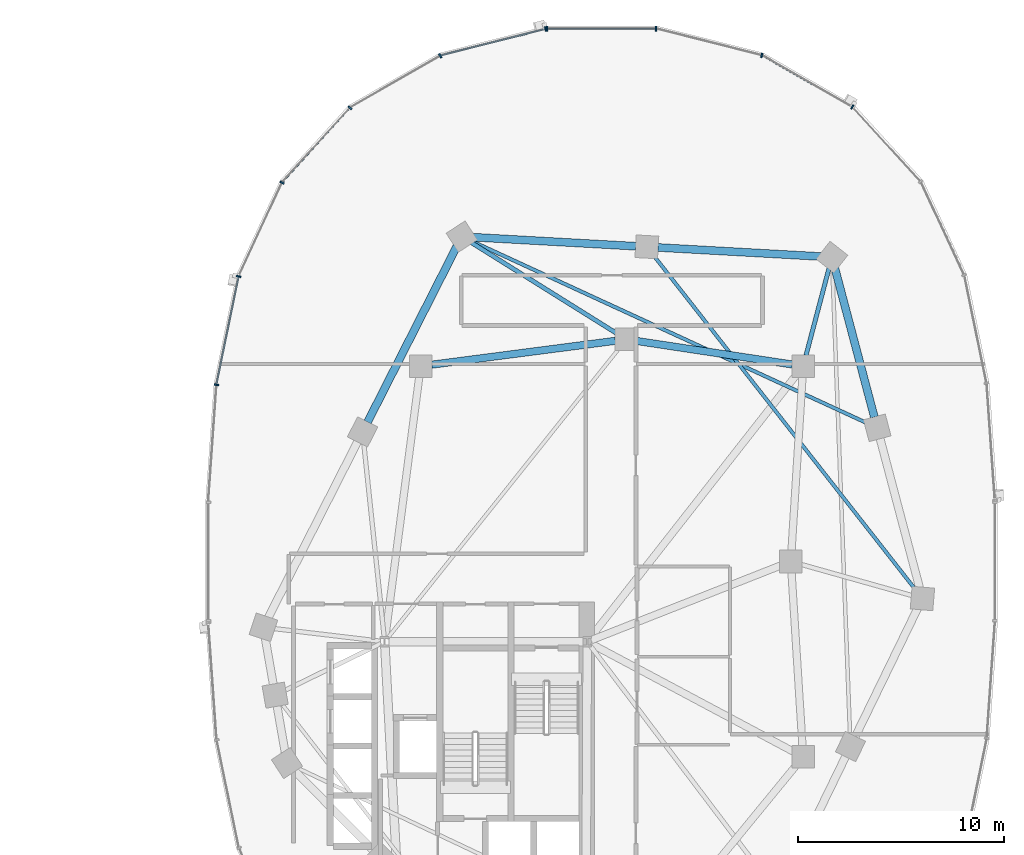
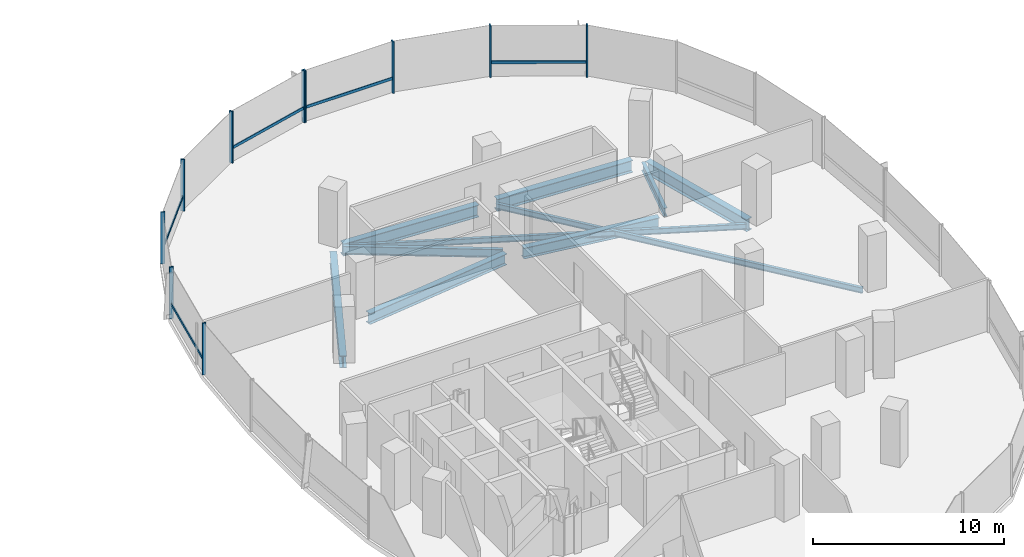
# One storey, part 7 of 21: 15 members, 10 beams, 2 elements without a shape of their own.
"""IFC4 building model written with IfcOpenShell, lengths in metres."""

from ifc_helpers import new_model, si_unit, direction, frame, origin, origin_2d, place, context, subcontext, project, spatial, rectangle, i_section, extrude, material, material_profile, profile_set, type_object, element, aggregate, save


model = new_model("IFC4")

# Units and contexts
model_context = context("Model", 3, precision=1e-05, world=origin(), true_north=direction((0.0, 1.0)))
body_context = subcontext(model_context, "Body", "Model", "MODEL_VIEW")
ifc_project = project(units=[si_unit("LENGTHUNIT", "METRE"), si_unit("AREAUNIT", "SQUARE_METRE"), si_unit("VOLUMEUNIT", "CUBIC_METRE"), si_unit("PLANEANGLEUNIT", "RADIAN"), si_unit("MASSUNIT", "GRAM", prefix="KILO"), si_unit("THERMODYNAMICTEMPERATUREUNIT", "KELVIN"), si_unit("POWERUNIT", "WATT")], contexts=[model_context])

# Site, building, storey
site_placement = place(None, origin())
site = spatial("IfcSite", under=ifc_project, at=site_placement, CompositionType="ELEMENT")
building_placement = place(site_placement, origin())
building = spatial("IfcBuilding", under=site, at=building_placement, Name="Cundina Bronze Exchange", CompositionType="ELEMENT")
storey_placement = place(building_placement, frame((0.0, 0.0, 107.0)))
storey = spatial("IfcBuildingStorey", under=building, at=storey_placement, Name="L27", CompositionType="ELEMENT", Elevation=107.0)

# Beams
ifc_material_1 = material(Name="Steel ASTM A992 Grade 50", Category="steel")
ifc_material_profile_1 = material_profile(ifc_material_1, i_section(OverallWidth=0.2099609375, OverallDepth=0.532958984375, WebThickness=0.01025390625, FlangeThickness=0.015625, FilletRadius=0.013916015625, at=origin_2d()), Name="W21X62", Category="steel")
ifc_profile_set_1 = profile_set([ifc_material_profile_1], Name="Steel ASTM A992 Grade 50")
beam_type_1 = type_object("IfcBeamType", Name="BM-FLR-W21B", PredefinedType="BEAM", material=ifc_profile_set_1)
beam_1_placement = place(storey_placement, frame((41.9375, 10.020263671875, -0.56640625), z_axis=(0.255357891402, 0.966846599673, 0.0), x_axis=(-0.966846599673, 0.255357891402, 0.0)))
element("IfcBeam", 1, at=beam_1_placement, inside=storey, type_object=beam_type_1, Name="L27 Leg E Chordal Floor Beam 10", PredefinedType="BEAM", context=body_context, shape_type="SweptSolid", body=[
    extrude(i_section(OverallWidth=0.2099609375, OverallDepth=0.532958984375, WebThickness=0.01025390625, FlangeThickness=0.015625, FilletRadius=0.013916015625, at=origin_2d()), origin(), (0.0, 0.0, 1.0), 4.405517578125),
])
beam_2_placement = place(storey_placement, frame((32.743896484375, 11.085205078125, -0.56640625), z_axis=(-0.848003227047, 0.529991063055, 0.0), x_axis=(-0.529991063055, -0.848003227047, 0.0)))
element("IfcBeam", 2, at=beam_2_placement, inside=storey, type_object=beam_type_1, Name="L27 Leg E Chordal Floor Beam 12", PredefinedType="BEAM", context=body_context, shape_type="SweptSolid", body=[
    extrude(i_section(OverallWidth=0.2099609375, OverallDepth=0.532958984375, WebThickness=0.01025390625, FlangeThickness=0.015625, FilletRadius=0.013916015625, at=origin_2d()), origin(), (0.0, 0.0, 1.0), 8.358154296875),
])
ifc_material_profile_2 = material_profile(ifc_material_1, i_section(OverallWidth=0.172119140625, OverallDepth=0.35791015625, WebThickness=0.0078125, FlangeThickness=0.01318359375, FilletRadius=0.010009765625, at=origin_2d()), Name="W14X38", Category="steel")
ifc_profile_set_2 = profile_set([ifc_material_profile_2], Name="Steel ASTM A992 Grade 50")
beam_type_2 = type_object("IfcBeamType", Name="BM-JST-W14", PredefinedType="JOIST", material=ifc_profile_set_2)
beam_3_placement = place(storey_placement, frame((47.268310546875, -1.37646484375, -0.47900390625), z_axis=(-0.616815348306, 0.787107887201, 0.0), x_axis=(-0.787107887201, -0.616815348306, 0.0)))
element("IfcBeam", 3, at=beam_3_placement, inside=storey, type_object=beam_type_2, Name="L27 Leg E Lobe Floor Joist 08-11", PredefinedType="JOIST", context=body_context, shape_type="SweptSolid", body=[
    extrude(i_section(OverallWidth=0.172119140625, OverallDepth=0.35791015625, WebThickness=0.0078125, FlangeThickness=0.01318359375, FilletRadius=0.010009765625, at=origin_2d()), origin(), (0.0, 0.0, 1.0), 20.64892578125),
])
beam_4_placement = place(storey_placement, frame((44.911376953125, 6.72509765625, -0.47900390625), z_axis=(-0.908357076874, 0.41819543385, 0.0), x_axis=(-0.41819543385, -0.908357076874, 0.0)))
element("IfcBeam", 4, at=beam_4_placement, inside=storey, type_object=beam_type_2, Name="L27 Leg E Lobe Floor Joist 09-12", PredefinedType="JOIST", context=body_context, shape_type="SweptSolid", body=[
    extrude(i_section(OverallWidth=0.172119140625, OverallDepth=0.35791015625, WebThickness=0.0078125, FlangeThickness=0.01318359375, FilletRadius=0.010009765625, at=origin_2d()), origin(), (0.0, 0.0, 1.0), 21.162109375),
])
ifc_material_profile_3 = material_profile(ifc_material_1, i_section(OverallWidth=0.35498046875, OverallDepth=0.695068359375, WebThickness=0.015380859375, FlangeThickness=0.02490234375, FilletRadius=0.01806640625, at=origin_2d()), Name="W27X146", Category="steel")
ifc_profile_set_3 = profile_set([ifc_material_profile_3], Name="Steel ASTM A992 Grade 50")
beam_type_3 = type_object("IfcBeamType", Name="BM-RING-W27", PredefinedType="USERDEFINED", material=ifc_profile_set_3)
beam_5_placement = place(storey_placement, frame((41.26806640625, 9.580322265625, -0.6474609375), z_axis=(-0.988767489563, 0.149461873341, 0.0), x_axis=(-0.149461873341, -0.988767489563, 0.0)))
element("IfcBeam", 5, at=beam_5_placement, inside=storey, type_object=beam_type_3, Name="L27 E Inner Structural Ring Girder 05", ObjectType="GIRDER", PredefinedType="USERDEFINED", context=body_context, shape_type="SweptSolid", body=[
    extrude(i_section(OverallWidth=0.35498046875, OverallDepth=0.695068359375, WebThickness=0.015380859375, FlangeThickness=0.02490234375, FilletRadius=0.01806640625, at=origin_2d()), origin(), (0.0, 0.0, 1.0), 7.621826171875),
])
beam_6_placement = place(storey_placement, frame((32.66650390625, 10.730712890625, -0.6474609375), z_axis=(-0.991654577907, -0.128923225666, 0.0), x_axis=(0.128923225666, -0.991654577907, 0.0)))
element("IfcBeam", 6, at=beam_6_placement, inside=storey, type_object=beam_type_3, Name="L27 E Inner Structural Ring Girder 06", ObjectType="GIRDER", PredefinedType="USERDEFINED", context=body_context, shape_type="SweptSolid", body=[
    extrude(i_section(OverallWidth=0.35498046875, OverallDepth=0.695068359375, WebThickness=0.015380859375, FlangeThickness=0.02490234375, FilletRadius=0.01806640625, at=origin_2d()), origin(), (0.0, 0.0, 1.0), 9.00830078125),
])
ifc_material_profile_4 = material_profile(ifc_material_1, i_section(OverallWidth=0.381103515625, OverallDepth=0.77294921875, WebThickness=0.0166015625, FlangeThickness=0.027099609375, FilletRadius=0.01904296875, at=origin_2d()), Name="W30X173", Category="steel")
ifc_profile_set_4 = profile_set([ifc_material_profile_4], Name="Steel ASTM A992 Grade 50")
beam_type_4 = type_object("IfcBeamType", Name="BM-RING-W30", PredefinedType="USERDEFINED", material=ifc_profile_set_4)
beam_7_placement = place(storey_placement, frame((45.26220703125, 7.02001953125, -0.6865234375), z_axis=(-0.256209719931, 0.966621218168, 0.0), x_axis=(-0.966621218168, -0.256209719931, 0.0)))
element("IfcBeam", 7, at=beam_7_placement, inside=storey, type_object=beam_type_4, Name="L27 E Perimeter Ring Girder 09", ObjectType="GIRDER", PredefinedType="USERDEFINED", context=body_context, shape_type="SweptSolid", body=[
    extrude(i_section(OverallWidth=0.381103515625, OverallDepth=0.77294921875, WebThickness=0.0166015625, FlangeThickness=0.027099609375, FilletRadius=0.01904296875, at=origin_2d()), origin(), (0.0, 0.0, 1.0), 7.5107421875),
])
for number, where, z_axis, x_axis, name in (
    (8, (42.662841796875, 14.829833984375, -0.6865234375), (-0.99845950136, 0.055485350721, 0.0), (-0.055485350721, -0.99845950136, 0.0), "L27 E Perimeter Ring Girder 10"),
    (9, (33.662841796875, 15.329833984375, -0.6865234375), (-0.99845950136, 0.055485350721, 0.0), (-0.055485350721, -0.99845950136, 0.0), "L27 E Perimeter Ring Girder 11"),
):
    element("IfcBeam", number, at=place(storey_placement, frame(where, z_axis=z_axis, x_axis=x_axis)), inside=storey, type_object=beam_type_4, Name=name, ObjectType="GIRDER", PredefinedType="USERDEFINED", context=body_context, shape_type="SweptSolid", body=[
        extrude(i_section(OverallWidth=0.381103515625, OverallDepth=0.77294921875, WebThickness=0.0166015625, FlangeThickness=0.027099609375, FilletRadius=0.01904296875, at=origin_2d()), origin(), (0.0, 0.0, 1.0), 7.937744140625),
    ])
beam_8_placement = place(storey_placement, frame((24.956298828125, 15.3203125, -0.6865234375), z_axis=(-0.452832332744, -0.891595692241, 0.0), x_axis=(0.891595692241, -0.452832332744, 0.0)))
element("IfcBeam", 10, at=beam_8_placement, inside=storey, type_object=beam_type_4, Name="L27 E Perimeter Ring Girder 12", ObjectType="GIRDER", PredefinedType="USERDEFINED", context=body_context, shape_type="SweptSolid", body=[
    extrude(i_section(OverallWidth=0.381103515625, OverallDepth=0.77294921875, WebThickness=0.0166015625, FlangeThickness=0.027099609375, FilletRadius=0.01904296875, at=origin_2d()), origin(), (0.0, 0.0, 1.0), 9.578857421875),
])

# Curtain wall, members
ifc_material_2 = material(Name="Anodised Bronze Aluminium 6063-T6", Category="aluminium")
curtain_wall_type = type_object("IfcCurtainWallType", Name="CWS-TRD-MID", PredefinedType="NOTDEFINED", material=ifc_material_2)
curtain_wall_1_placement = place(storey_placement, origin())
curtain_wall_1 = element("IfcCurtainWall", 11, at=curtain_wall_1_placement, inside=storey, type_object=curtain_wall_type, Name="L27 CW-03 Curtain Wall Run CWR-L27-E1", PredefinedType="NOTDEFINED")
ifc_material_profile_5 = material_profile(ifc_material_2, rectangle(XDim=0.074951171875, YDim=0.219970703125, at=origin_2d()), Name="AL75X220", Category="aluminium")
ifc_profile_set_5 = profile_set([ifc_material_profile_5], Name="Anodised Bronze Aluminium 6063-T6")
member_type_1 = type_object("IfcMemberType", Name="CWM-MUL-220", PredefinedType="MULLION", material=ifc_profile_set_5)
member_1_placement = place(storey_placement, frame((44.189697265625, 22.097412109375, 0.0), z_axis=(0.0, 0.0, 1.0), x_axis=(-0.867070701164, 0.498185105339, 0.0)))
member_1 = element("IfcMember", 12, at=member_1_placement, type_object=member_type_1, Name="CW-03 Mullion 5", PredefinedType="MULLION", context=body_context, shape_type="SweptSolid", body=[
    extrude(rectangle(XDim=0.074951171875, YDim=0.219970703125, at=origin_2d()), origin(), (0.0, 0.0, 1.0), 3.300048828125),
])
member_2_placement = place(storey_placement, frame((39.78515625, 24.61669921875, 0.0), z_axis=(0.0, 0.0, 1.0), x_axis=(-0.969488149345, 0.245138182011, 0.0)))
member_2 = element("IfcMember", 13, at=member_2_placement, type_object=member_type_1, Name="CW-03 Mullion 6", PredefinedType="MULLION", context=body_context, shape_type="SweptSolid", body=[
    extrude(rectangle(XDim=0.074951171875, YDim=0.219970703125, at=origin_2d()), origin(), (0.0, 0.0, 1.0), 3.300048828125),
])
member_3_placement = place(storey_placement, frame((34.654541015625, 25.905029296875, 0.0), z_axis=(0.0, 0.0, 1.0), x_axis=(-1.0, 0.0, 0.0)))
member_3 = element("IfcMember", 14, at=member_3_placement, type_object=member_type_1, Name="CW-03 Mullion 7", PredefinedType="MULLION", context=body_context, shape_type="SweptSolid", body=[
    extrude(rectangle(XDim=0.074951171875, YDim=0.219970703125, at=origin_2d()), origin(), (0.0, 0.0, 1.0), 3.300048828125),
])
member_4_placement = place(storey_placement, frame((29.345458984375, 25.905029296875, 0.0), z_axis=(0.0, 0.0, 1.0), x_axis=(-1.0, 0.0, 0.0)))
member_4 = element("IfcMember", 15, at=member_4_placement, type_object=member_type_1, Name="CW-03 End Mullion", PredefinedType="MULLION", context=body_context, shape_type="SweptSolid", body=[
    extrude(rectangle(XDim=0.074951171875, YDim=0.219970703125, at=origin_2d()), origin(), (0.0, 0.0, 1.0), 3.300048828125),
])

curtain_wall_2_placement = place(storey_placement, origin())
curtain_wall_2 = element("IfcCurtainWall", 16, at=curtain_wall_2_placement, inside=storey, type_object=curtain_wall_type, Name="L27 CW-03 Curtain Wall Run CWR-L27-E2", PredefinedType="NOTDEFINED")
member_5_placement = place(storey_placement, frame((29.27392578125, 25.89599609375, 0.0), z_axis=(0.0, 0.0, 1.0), x_axis=(-0.969488149345, -0.245138182011, 0.0)))
member_5 = element("IfcMember", 17, at=member_5_placement, type_object=member_type_1, Name="CW-03 Mullion 1", PredefinedType="MULLION", context=body_context, shape_type="SweptSolid", body=[
    extrude(rectangle(XDim=0.074951171875, YDim=0.219970703125, at=origin_2d()), origin(), (0.0, 0.0, 1.0), 3.300048828125),
])
member_6_placement = place(storey_placement, frame((24.151123046875, 24.591064453125, 0.0), z_axis=(0.0, 0.0, 1.0), x_axis=(-0.867070701164, -0.498185105339, 0.0)))
member_6 = element("IfcMember", 18, at=member_6_placement, type_object=member_type_1, Name="CW-03 Mullion 2", PredefinedType="MULLION", context=body_context, shape_type="SweptSolid", body=[
    extrude(rectangle(XDim=0.074951171875, YDim=0.219970703125, at=origin_2d()), origin(), (0.0, 0.0, 1.0), 3.300048828125),
])
member_7_placement = place(storey_placement, frame((19.760498046875, 22.0576171875, 0.0), z_axis=(0.0, 0.0, 1.0), x_axis=(-0.674302387584, -0.738455340626, 0.0)))
member_7 = element("IfcMember", 19, at=member_7_placement, type_object=member_type_1, Name="CW-03 Mullion 3", PredefinedType="MULLION", context=body_context, shape_type="SweptSolid", body=[
    extrude(rectangle(XDim=0.074951171875, YDim=0.219970703125, at=origin_2d()), origin(), (0.0, 0.0, 1.0), 3.300048828125),
])
member_8_placement = place(storey_placement, frame((16.455810546875, 18.423583984375, 0.0), z_axis=(0.0, 0.0, 1.0), x_axis=(-0.42087749791, -0.907117485088, 0.0)))
member_8 = element("IfcMember", 20, at=member_8_placement, type_object=member_type_1, Name="CW-03 Mullion 4", PredefinedType="MULLION", context=body_context, shape_type="SweptSolid", body=[
    extrude(rectangle(XDim=0.074951171875, YDim=0.219970703125, at=origin_2d()), origin(), (0.0, 0.0, 1.0), 3.300048828125),
])
member_9_placement = place(storey_placement, frame((14.348876953125, 13.861328125, 0.0), z_axis=(0.0, 0.0, 1.0), x_axis=(-0.201419845156, -0.979505000486, 0.0)))
member_9 = element("IfcMember", 21, at=member_9_placement, type_object=member_type_1, Name="CW-03 Mullion 5", PredefinedType="MULLION", context=body_context, shape_type="SweptSolid", body=[
    extrude(rectangle(XDim=0.074951171875, YDim=0.219970703125, at=origin_2d()), origin(), (0.0, 0.0, 1.0), 3.300048828125),
])
member_10_placement = place(storey_placement, frame((13.27099609375, 8.591552734375, 0.0), z_axis=(0.0, 0.0, 1.0), x_axis=(-0.070278787473, -0.997527389113, 0.0)))
member_10 = element("IfcMember", 22, at=member_10_placement, type_object=member_type_1, Name="CW-03 Mullion 6", PredefinedType="MULLION", context=body_context, shape_type="SweptSolid", body=[
    extrude(rectangle(XDim=0.074951171875, YDim=0.219970703125, at=origin_2d()), origin(), (0.0, 0.0, 1.0), 3.300048828125),
])

# Member
ifc_material_profile_6 = material_profile(ifc_material_2, rectangle(XDim=0.070068359375, YDim=0.179931640625, at=origin_2d()), Name="AL70X180", Category="aluminium")
ifc_profile_set_6 = profile_set([ifc_material_profile_6], Name="Anodised Bronze Aluminium 6063-T6")
member_type_2 = type_object("IfcMemberType", Name="CWM-TRN-180", PredefinedType="USERDEFINED", material=ifc_profile_set_6)
member_11_placement = place(storey_placement, frame((44.154052734375, 22.117919921875, 0.919921875), z_axis=(-0.867097475651, 0.498138502546, 0.0), x_axis=(-0.498138502546, -0.867097475651, 0.0)))
member_11 = element("IfcMember", 23, at=member_11_placement, type_object=member_type_2, Name="CW-03 Spandrel Transom 5", ObjectType="TRANSOM", PredefinedType="USERDEFINED", context=body_context, shape_type="SweptSolid", body=[
    extrude(rectangle(XDim=0.070068359375, YDim=0.179931640625, at=origin_2d()), origin(), (0.0, 0.0, 1.0), 5.00634765625),
])

member_12_placement = place(storey_placement, frame((34.61328125, 25.905029296875, 0.919921875), z_axis=(-1.0, 0.0, 0.0), x_axis=(0.0, -1.0, 0.0)))
member_12 = element("IfcMember", 24, at=member_12_placement, type_object=member_type_2, Name="CW-03 Spandrel Transom 7", ObjectType="TRANSOM", PredefinedType="USERDEFINED", context=body_context, shape_type="SweptSolid", body=[
    extrude(rectangle(XDim=0.070068359375, YDim=0.179931640625, at=origin_2d()), origin(), (0.0, 0.0, 1.0), 5.2265625),
])

aggregate(curtain_wall_1, [member_1, member_11, member_2, member_3, member_4, member_12])

member_13_placement = place(storey_placement, frame((29.23388671875, 25.885986328125, 0.919921875), z_axis=(-0.969483968866, -0.245154714644, 0.0), x_axis=(0.245154714644, -0.969483968866, 0.0)))
member_13 = element("IfcMember", 25, at=member_13_placement, type_object=member_type_2, Name="CW-03 Spandrel Transom 1", ObjectType="TRANSOM", PredefinedType="USERDEFINED", context=body_context, shape_type="SweptSolid", body=[
    extrude(rectangle(XDim=0.070068359375, YDim=0.179931640625, at=origin_2d()), origin(), (0.0, 0.0, 1.0), 5.21826171875),
])

member_14_placement = place(storey_placement, frame((19.73291015625, 22.027099609375, 0.919921875), z_axis=(-0.674302794847, -0.738454968743, 0.0), x_axis=(0.738454968743, -0.674302794847, 0.0)))
member_14 = element("IfcMember", 26, at=member_14_placement, type_object=member_type_2, Name="CW-03 Spandrel Transom 3", ObjectType="TRANSOM", PredefinedType="USERDEFINED", context=body_context, shape_type="SweptSolid", body=[
    extrude(rectangle(XDim=0.070068359375, YDim=0.179931640625, at=origin_2d()), origin(), (0.0, 0.0, 1.0), 4.848388671875),
])

member_15_placement = place(storey_placement, frame((14.340576171875, 13.821044921875, 0.919921875), z_axis=(-0.201427712708, -0.979503382615, 0.0), x_axis=(0.979503382615, -0.201427712708, 0.0)))
member_15 = element("IfcMember", 27, at=member_15_placement, type_object=member_type_2, Name="CW-03 Spandrel Transom 5", ObjectType="TRANSOM", PredefinedType="USERDEFINED", context=body_context, shape_type="SweptSolid", body=[
    extrude(rectangle(XDim=0.070068359375, YDim=0.179931640625, at=origin_2d()), origin(), (0.0, 0.0, 1.0), 5.291748046875),
])

aggregate(curtain_wall_2, [member_5, member_13, member_6, member_7, member_14, member_8, member_9, member_15, member_10])

save(model, "model.ifc")
